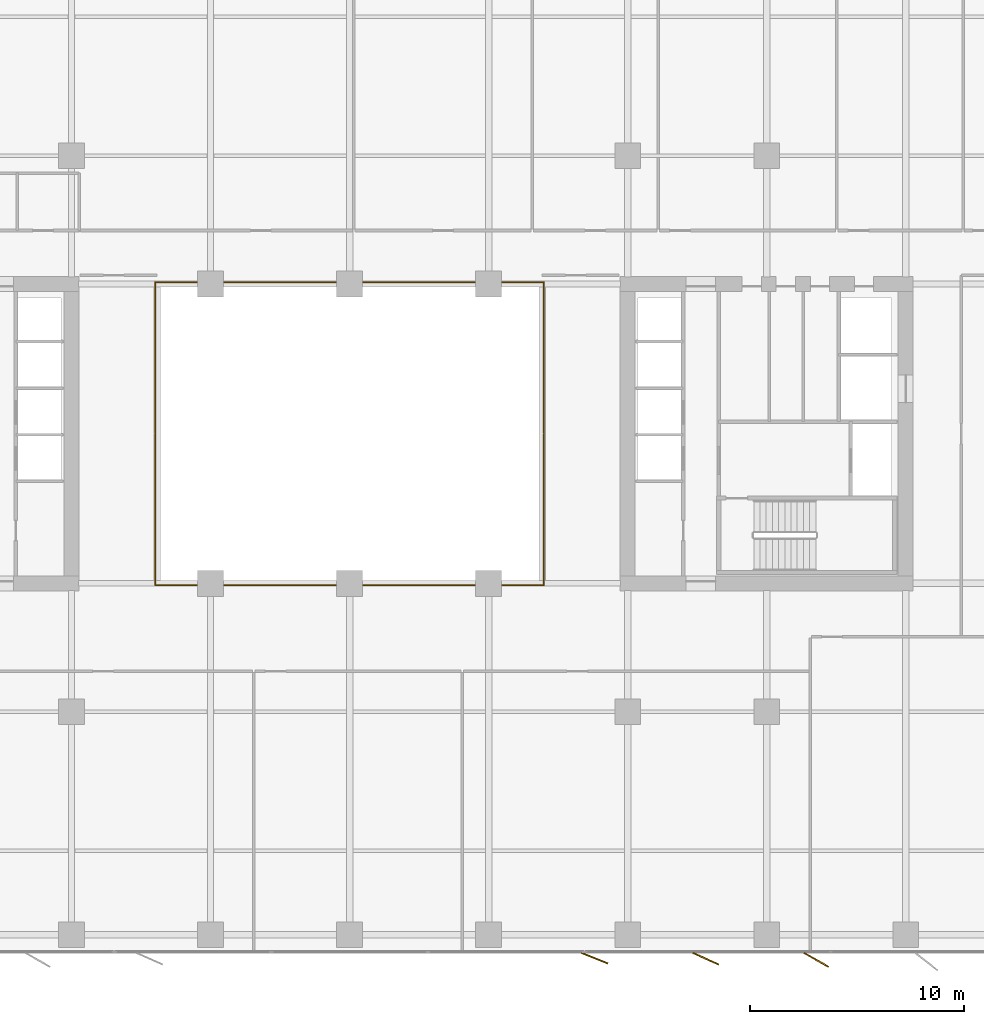
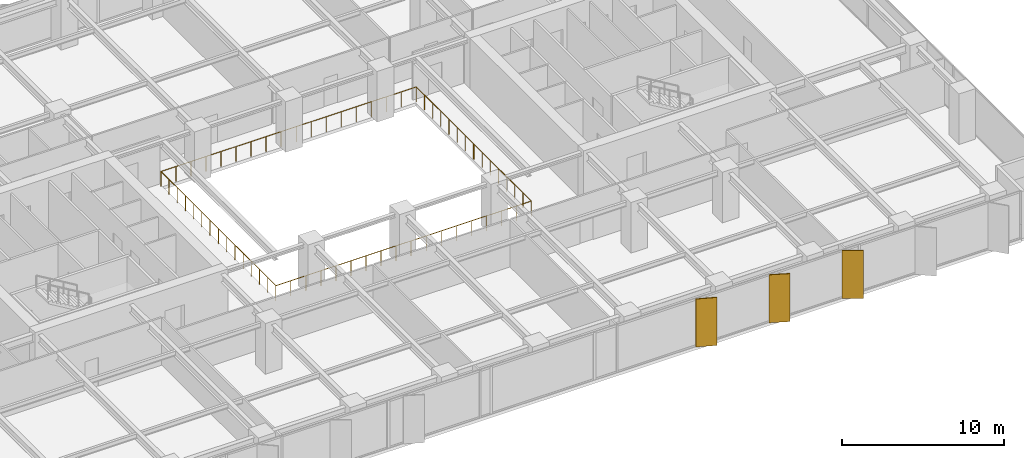
# One storey, part 18 of 20: 3 shading devices, 2 railings.
"""IFC4 building model written with IfcOpenShell, lengths in metres."""

import ifcopenshell
import ifcopenshell.guid

model = None  # the IFC model being written
_history = None  # IfcOwnerHistory: only IFC2X3 demands one
_inside = {}  # id of a spatial element -> (the spatial element, [elements in it])
_under = {}  # id of a project, library or spatial element -> (it, [spatial elements below it])
_declared = {}  # id of a project -> (the project, [libraries it declares])
_typed = {}  # id of a type object -> (the type object, [elements of that type])
_made_of = {}  # id of a material, layer set ... -> (it, [elements and type objects made of it])


def new_model(schema):
    """Start an empty IFC model of exactly this schema.

    Asked for "IFC4X3", IfcOpenShell would pick the latest addendum, in which some entities
    have other attributes; the version numbers below select the first issue.
    IFC2X3 requires an IfcOwnerHistory on every rooted entity: one is made here for all.
    """
    global model, _history
    if schema == "IFC4X3":
        model = ifcopenshell.file(schema_version=(4, 3, 0, 0))
    else:
        model = ifcopenshell.file(schema=schema)
    _inside.clear()
    _under.clear()
    _declared.clear()
    _typed.clear()
    _made_of.clear()
    _history = None
    if model.schema == "IFC2X3":
        org = make("IfcOrganization", Name="unknown")
        user = make(
            "IfcPersonAndOrganization",
            ThePerson=make("IfcPerson", FamilyName="unknown"),
            TheOrganization=org,
        )
        app = make(
            "IfcApplication",
            ApplicationDeveloper=org,
            Version="unknown",
            ApplicationFullName="unknown",
            ApplicationIdentifier="unknown",
        )
        _history = make(
            "IfcOwnerHistory",
            OwningUser=user,
            OwningApplication=app,
            ChangeAction="ADDED",
            CreationDate=0,
        )
    return model


def make(cls, **values):
    """One entity of the class cls with the attributes given. An attribute that is None is left unset."""
    return model.create_entity(
        cls, **{name: value for name, value in values.items() if value is not None}
    )


def rooted(cls, **values):
    """An entity with a GlobalId (a new one), such as an element, a storey or a relation."""
    return make(cls, GlobalId=ifcopenshell.guid.new(), OwnerHistory=_history, **values)


def si_unit(unit_type, name, prefix=None):
    """IfcSIUnit, for example si_unit("LENGTHUNIT", "METRE", prefix="MILLI")."""
    return make("IfcSIUnit", UnitType=unit_type, Prefix=prefix, Name=name)


def assignment(units):
    """IfcUnitAssignment: the units of a project."""
    return None if units is None else make("IfcUnitAssignment", Units=units)


def point(xyz):
    """IfcCartesianPoint."""
    return None if xyz is None else make("IfcCartesianPoint", Coordinates=xyz)


def direction(xyz):
    """IfcDirection."""
    return None if xyz is None else make("IfcDirection", DirectionRatios=xyz)


def frame(location, z_axis=None, x_axis=None):
    """IfcAxis2Placement3D, a coordinate frame: its origin and axes. An axis left out is left unset."""
    return make(
        "IfcAxis2Placement3D",
        Location=point(location),
        Axis=direction(z_axis),
        RefDirection=direction(x_axis),
    )


def frame_2d(location, x_axis=None):
    """IfcAxis2Placement2D, a coordinate frame in the plane: its origin and x axis."""
    return make(
        "IfcAxis2Placement2D", Location=point(location), RefDirection=direction(x_axis)
    )


def origin():
    """The frame at (0, 0, 0) with its axes left unset."""
    return frame((0.0, 0.0, 0.0))


def origin_2d():
    """The frame at (0, 0) in the plane with its x axis left unset."""
    return frame_2d((0.0, 0.0))


def place(relative_to, where):
    """IfcLocalPlacement: puts the frame where relative to a parent placement (None: the world)."""
    return make(
        "IfcLocalPlacement", PlacementRelTo=relative_to, RelativePlacement=where
    )


def context(
    kind, dimensions, precision=None, world=None, true_north=None, identifier=None
):
    """IfcGeometricRepresentationContext, for example the 3D "Model" context."""
    return make(
        "IfcGeometricRepresentationContext",
        ContextIdentifier=identifier,
        ContextType=kind,
        CoordinateSpaceDimension=dimensions,
        Precision=precision,
        WorldCoordinateSystem=world,
        TrueNorth=true_north,
    )


def subcontext(parent, identifier, kind, view, scale=None):
    """IfcGeometricRepresentationSubContext, for example "Body" below "Model"."""
    return make(
        "IfcGeometricRepresentationSubContext",
        ContextIdentifier=identifier,
        ContextType=kind,
        ParentContext=parent,
        TargetScale=scale,
        TargetView=view,
    )


def project(units=None, contexts=None):
    """IfcProject with its units and contexts."""
    return rooted(
        "IfcProject",
        Name="project",
        RepresentationContexts=contexts,
        UnitsInContext=assignment(units),
    )


def spatial(cls, under=None, at=None, **own):
    """A site, building, storey or space (cls), placed at a placement, below another one or the project."""
    s = rooted(cls, ObjectPlacement=at, **own)
    if under is not None:
        _under.setdefault(under.id(), (under, []))[1].append(s)
    return s


def profile(cls, at=None, kind="AREA", **sizes):
    """A parametric profile (cls). Its sizes go by their IFC names, for example OverallWidth=200.0."""
    return make(cls, ProfileType=kind, Position=at, **sizes)


def rectangle(**sizes):
    """IfcRectangleProfileDef."""
    return profile("IfcRectangleProfileDef", **sizes)


def circle(**sizes):
    """IfcCircleProfileDef."""
    return profile("IfcCircleProfileDef", **sizes)


def extrude(swept, where, along, depth):
    """IfcExtrudedAreaSolid: the profile swept, set in the frame where, extruded along a direction by depth."""
    return make(
        "IfcExtrudedAreaSolid",
        SweptArea=swept,
        Position=where,
        ExtrudedDirection=direction(along),
        Depth=depth,
    )


def shape(context_of_items, identifier, shape_type, items):
    """IfcShapeRepresentation: the items that make up one representation, for example the "Body"."""
    return make(
        "IfcShapeRepresentation",
        ContextOfItems=context_of_items,
        RepresentationIdentifier=identifier,
        RepresentationType=shape_type,
        Items=items,
    )


def material(Name=None, Category=None):
    """IfcMaterial."""
    return make("IfcMaterial", Name=Name, Category=Category)


def layer(
    of_material, thickness, ventilated=None, Name=None, Category=None, Priority=None
):
    """IfcMaterialLayer: one layer of a wall or slab, of a material (None: an air gap)."""
    return make(
        "IfcMaterialLayer",
        Material=of_material,
        LayerThickness=thickness,
        IsVentilated=ventilated,
        Name=Name,
        Category=Category,
        Priority=Priority,
    )


def layer_set(layers, Name=None):
    """IfcMaterialLayerSet."""
    return make("IfcMaterialLayerSet", MaterialLayers=layers, LayerSetName=Name)


def made_of(thing, what):
    """Note that an element or type object is made of a material, layer set ...; save() writes the relation."""
    if what is not None:
        _made_of.setdefault(what.id(), (what, []))[1].append(thing)
    return thing


def type_object(cls, material=None, **own):
    """A type object (cls), such as IfcWallType, which elements share."""
    return made_of(rooted(cls, **own), material)


def element(
    cls,
    number,
    at=None,
    inside=None,
    cuts=None,
    type_object=None,
    material=None,
    context=None,
    identifier="Body",
    shape_type=None,
    held_by="IfcProductDefinitionShape",
    body=None,
    shapes=None,
    **own,
):
    """One element of the class cls, such as IfcWall. Its Tag is "e" and its number.

    at: its placement. inside: the storey or other place that contains it. cuts: it is an
    opening in that element (IfcRelVoidsElement). A single representation is given by context,
    identifier, shape_type and body (its items); several are given by shapes. held_by: the class
    of the entity that holds the representations. save() writes the other relations.
    """
    e = rooted(cls, Tag="e%d" % number, ObjectPlacement=at, **own)
    if body is not None:
        shapes = [shape(context, identifier, shape_type, body)]
    if shapes is not None:
        e.Representation = make(held_by, Representations=shapes)
    if inside is not None:
        _inside.setdefault(inside.id(), (inside, []))[1].append(e)
    if cuts is not None:
        rooted(
            "IfcRelVoidsElement", RelatingBuildingElement=cuts, RelatedOpeningElement=e
        )
    if type_object is not None:
        _typed.setdefault(type_object.id(), (type_object, []))[1].append(e)
    return made_of(e, material)


def aggregate(whole, parts):
    """IfcRelAggregates: a whole, such as a stair, and the parts it consists of."""
    return rooted("IfcRelAggregates", RelatingObject=whole, RelatedObjects=parts)


def save(model, path):
    """Write the relations noted so far, then the file.

    IfcRelAggregates (storeys below a building ...), IfcRelContainedInSpatialStructure (elements
    in a storey), IfcRelDefinesByType, IfcRelAssociatesMaterial and IfcRelDeclares: one each for
    every whole, place, type object, material and project.
    """
    for whole, parts in _under.values():
        aggregate(whole, parts)
    for where, things in _inside.values():
        rooted(
            "IfcRelContainedInSpatialStructure",
            RelatedElements=things,
            RelatingStructure=where,
        )
    for kind, things in _typed.values():
        rooted("IfcRelDefinesByType", RelatedObjects=things, RelatingType=kind)
    for what, things in _made_of.values():
        rooted("IfcRelAssociatesMaterial", RelatedObjects=things, RelatingMaterial=what)
    for by, libraries in _declared.values():
        rooted("IfcRelDeclares", RelatingContext=by, RelatedDefinitions=libraries)
    model.write(path)


model = new_model("IFC4")

# Units and contexts
model_context = context("Model", 3, precision=1e-05, world=origin(), true_north=direction((0.0, 1.0)))
body_context = subcontext(model_context, "Body", "Model", "MODEL_VIEW")
ifc_project = project(units=[si_unit("LENGTHUNIT", "METRE"), si_unit("AREAUNIT", "SQUARE_METRE"), si_unit("VOLUMEUNIT", "CUBIC_METRE"), si_unit("PLANEANGLEUNIT", "RADIAN"), si_unit("MASSUNIT", "GRAM", prefix="KILO")], contexts=[model_context])

# Site, building, storey
site_placement = place(None, origin())
site = spatial("IfcSite", under=ifc_project, at=site_placement, CompositionType="ELEMENT")
building_placement = place(site_placement, origin())
building = spatial("IfcBuilding", under=site, at=building_placement, Name="Putna Gate Headquarters", CompositionType="ELEMENT")
storey_placement = place(building_placement, frame((0.0, 0.0, 108.800048828125)))
storey = spatial("IfcBuildingStorey", under=building, at=storey_placement, Name="L26", CompositionType="ELEMENT", Elevation=108.800048828125)

# Railings
ifc_material_1 = material(Name="Anodised bronze and laminated glass atrium balustrade", Category="glass")
railing_type = type_object("IfcRailingType", Name="RAIL-ATRIUM-GUARD-1150", PredefinedType="GUARDRAIL", material=ifc_material_1)
railing_1_placement = place(storey_placement, frame((29.919921875, 25.969970703125, 0.0)))
element("IfcRailing", 1, at=railing_1_placement, inside=storey, type_object=railing_type, Name="L26 Central Atrium Glazed Balustrade South", PredefinedType="GUARDRAIL", context=body_context, shape_type="SweptSolid", body=[
    extrude(circle(Radius=0.02392578125, at=origin_2d()), frame((0.0, 0.0, 1.1259765625), z_axis=(0.0, -1.0, 0.0), x_axis=(1.0, 0.0, 0.0)), (0.0, 0.0, 1.0), 7.050048828125),
    extrude(circle(Radius=0.02392578125, at=origin_2d()), frame((0.0, -7.050048828125, 1.1259765625), z_axis=(1.0, 0.0, 0.0), x_axis=(0.0, 1.0, 0.0)), (0.0, 0.0, 1.0), 18.16015625),
    extrude(circle(Radius=0.02392578125, at=origin_2d()), frame((18.16015625, -7.050048828125, 1.1259765625), z_axis=(0.0, 1.0, 0.0), x_axis=(-1.0, 0.0, 0.0)), (0.0, 0.0, 1.0), 7.050048828125),
    extrude(circle(Radius=0.02099609375, at=origin_2d()), origin(), (0.0, 0.0, 1.0), 1.101806640625),
    extrude(circle(Radius=0.02099609375, at=origin_2d()), frame((0.0, -1.007080078125, 0.0)), (0.0, 0.0, 1.0), 1.101806640625),
    extrude(circle(Radius=0.02099609375, at=origin_2d()), frame((0.0, -2.014404296875, 0.0)), (0.0, 0.0, 1.0), 1.101806640625),
    extrude(circle(Radius=0.02099609375, at=origin_2d()), frame((0.0, -3.021484375, 0.0)), (0.0, 0.0, 1.0), 1.101806640625),
    extrude(circle(Radius=0.02099609375, at=origin_2d()), frame((0.0, -4.028564453125, 0.0)), (0.0, 0.0, 1.0), 1.101806640625),
    extrude(circle(Radius=0.02099609375, at=origin_2d()), frame((0.0, -5.03564453125, 0.0)), (0.0, 0.0, 1.0), 1.101806640625),
    extrude(circle(Radius=0.02099609375, at=origin_2d()), frame((0.0, -6.04296875, 0.0)), (0.0, 0.0, 1.0), 1.101806640625),
    extrude(circle(Radius=0.02099609375, at=origin_2d()), frame((0.0, -7.050048828125, 0.0)), (0.0, 0.0, 1.0), 1.101806640625),
    extrude(circle(Radius=0.02099609375, at=origin_2d()), frame((1.068359375, -7.050048828125, 0.0)), (0.0, 0.0, 1.0), 1.101806640625),
    extrude(circle(Radius=0.02099609375, at=origin_2d()), frame((2.136474609375, -7.050048828125, 0.0)), (0.0, 0.0, 1.0), 1.101806640625),
    extrude(circle(Radius=0.02099609375, at=origin_2d()), frame((3.204833984375, -7.050048828125, 0.0)), (0.0, 0.0, 1.0), 1.101806640625),
    extrude(circle(Radius=0.02099609375, at=origin_2d()), frame((4.27294921875, -7.050048828125, 0.0)), (0.0, 0.0, 1.0), 1.101806640625),
    extrude(circle(Radius=0.02099609375, at=origin_2d()), frame((5.34130859375, -7.050048828125, 0.0)), (0.0, 0.0, 1.0), 1.101806640625),
    extrude(circle(Radius=0.02099609375, at=origin_2d()), frame((6.409423828125, -7.050048828125, 0.0)), (0.0, 0.0, 1.0), 1.101806640625),
    extrude(circle(Radius=0.02099609375, at=origin_2d()), frame((7.477783203125, -7.050048828125, 0.0)), (0.0, 0.0, 1.0), 1.101806640625),
    extrude(circle(Radius=0.02099609375, at=origin_2d()), frame((8.5458984375, -7.050048828125, 0.0)), (0.0, 0.0, 1.0), 1.101806640625),
    extrude(circle(Radius=0.02099609375, at=origin_2d()), frame((9.6142578125, -7.050048828125, 0.0)), (0.0, 0.0, 1.0), 1.101806640625),
    extrude(circle(Radius=0.02099609375, at=origin_2d()), frame((10.682373046875, -7.050048828125, 0.0)), (0.0, 0.0, 1.0), 1.101806640625),
    extrude(circle(Radius=0.02099609375, at=origin_2d()), frame((11.750732421875, -7.050048828125, 0.0)), (0.0, 0.0, 1.0), 1.101806640625),
    extrude(circle(Radius=0.02099609375, at=origin_2d()), frame((12.81884765625, -7.050048828125, 0.0)), (0.0, 0.0, 1.0), 1.101806640625),
    extrude(circle(Radius=0.02099609375, at=origin_2d()), frame((13.88720703125, -7.050048828125, 0.0)), (0.0, 0.0, 1.0), 1.101806640625),
    extrude(circle(Radius=0.02099609375, at=origin_2d()), frame((14.955322265625, -7.050048828125, 0.0)), (0.0, 0.0, 1.0), 1.101806640625),
    extrude(circle(Radius=0.02099609375, at=origin_2d()), frame((16.023681640625, -7.050048828125, 0.0)), (0.0, 0.0, 1.0), 1.101806640625),
    extrude(circle(Radius=0.02099609375, at=origin_2d()), frame((17.091796875, -7.050048828125, 0.0)), (0.0, 0.0, 1.0), 1.101806640625),
    extrude(circle(Radius=0.02099609375, at=origin_2d()), frame((18.16015625, -7.050048828125, 0.0)), (0.0, 0.0, 1.0), 1.101806640625),
    extrude(circle(Radius=0.02099609375, at=origin_2d()), frame((18.16015625, -6.04296875, 0.0)), (0.0, 0.0, 1.0), 1.101806640625),
    extrude(circle(Radius=0.02099609375, at=origin_2d()), frame((18.16015625, -5.03564453125, 0.0)), (0.0, 0.0, 1.0), 1.101806640625),
    extrude(circle(Radius=0.02099609375, at=origin_2d()), frame((18.16015625, -4.028564453125, 0.0)), (0.0, 0.0, 1.0), 1.101806640625),
    extrude(circle(Radius=0.02099609375, at=origin_2d()), frame((18.16015625, -3.021484375, 0.0)), (0.0, 0.0, 1.0), 1.101806640625),
    extrude(circle(Radius=0.02099609375, at=origin_2d()), frame((18.16015625, -2.014404296875, 0.0)), (0.0, 0.0, 1.0), 1.101806640625),
    extrude(circle(Radius=0.02099609375, at=origin_2d()), frame((18.16015625, -1.007080078125, 0.0)), (0.0, 0.0, 1.0), 1.101806640625),
    extrude(circle(Radius=0.02099609375, at=origin_2d()), frame((18.16015625, 0.0, 0.0)), (0.0, 0.0, 1.0), 1.101806640625),
])
railing_2_placement = place(storey_placement, frame((48.080078125, 26.030029296875, 0.0)))
element("IfcRailing", 2, at=railing_2_placement, inside=storey, type_object=railing_type, Name="L26 Central Atrium Glazed Balustrade North", PredefinedType="GUARDRAIL", context=body_context, shape_type="SweptSolid", body=[
    extrude(circle(Radius=0.02392578125, at=origin_2d()), frame((0.0, 0.0, 1.1259765625), z_axis=(0.0, 1.0, 0.0), x_axis=(-1.0, 0.0, 0.0)), (0.0, 0.0, 1.0), 7.050048828125),
    extrude(circle(Radius=0.02392578125, at=origin_2d()), frame((0.0, 7.050048828125, 1.1259765625), z_axis=(-1.0, 0.0, 0.0), x_axis=(0.0, -1.0, 0.0)), (0.0, 0.0, 1.0), 18.16015625),
    extrude(circle(Radius=0.02392578125, at=origin_2d()), frame((-18.16015625, 7.050048828125, 1.1259765625), z_axis=(0.0, -1.0, 0.0), x_axis=(1.0, 0.0, 0.0)), (0.0, 0.0, 1.0), 7.050048828125),
    extrude(circle(Radius=0.02099609375, at=origin_2d()), origin(), (0.0, 0.0, 1.0), 1.101806640625),
    extrude(circle(Radius=0.02099609375, at=origin_2d()), frame((0.0, 1.007080078125, 0.0)), (0.0, 0.0, 1.0), 1.101806640625),
    extrude(circle(Radius=0.02099609375, at=origin_2d()), frame((0.0, 2.014404296875, 0.0)), (0.0, 0.0, 1.0), 1.101806640625),
    extrude(circle(Radius=0.02099609375, at=origin_2d()), frame((0.0, 3.021484375, 0.0)), (0.0, 0.0, 1.0), 1.101806640625),
    extrude(circle(Radius=0.02099609375, at=origin_2d()), frame((0.0, 4.028564453125, 0.0)), (0.0, 0.0, 1.0), 1.101806640625),
    extrude(circle(Radius=0.02099609375, at=origin_2d()), frame((0.0, 5.03564453125, 0.0)), (0.0, 0.0, 1.0), 1.101806640625),
    extrude(circle(Radius=0.02099609375, at=origin_2d()), frame((0.0, 6.04296875, 0.0)), (0.0, 0.0, 1.0), 1.101806640625),
    extrude(circle(Radius=0.02099609375, at=origin_2d()), frame((0.0, 7.050048828125, 0.0)), (0.0, 0.0, 1.0), 1.101806640625),
    extrude(circle(Radius=0.02099609375, at=origin_2d()), frame((-1.068359375, 7.050048828125, 0.0)), (0.0, 0.0, 1.0), 1.101806640625),
    extrude(circle(Radius=0.02099609375, at=origin_2d()), frame((-2.136474609375, 7.050048828125, 0.0)), (0.0, 0.0, 1.0), 1.101806640625),
    extrude(circle(Radius=0.02099609375, at=origin_2d()), frame((-3.204833984375, 7.050048828125, 0.0)), (0.0, 0.0, 1.0), 1.101806640625),
    extrude(circle(Radius=0.02099609375, at=origin_2d()), frame((-4.27294921875, 7.050048828125, 0.0)), (0.0, 0.0, 1.0), 1.101806640625),
    extrude(circle(Radius=0.02099609375, at=origin_2d()), frame((-5.34130859375, 7.050048828125, 0.0)), (0.0, 0.0, 1.0), 1.101806640625),
    extrude(circle(Radius=0.02099609375, at=origin_2d()), frame((-6.409423828125, 7.050048828125, 0.0)), (0.0, 0.0, 1.0), 1.101806640625),
    extrude(circle(Radius=0.02099609375, at=origin_2d()), frame((-7.477783203125, 7.050048828125, 0.0)), (0.0, 0.0, 1.0), 1.101806640625),
    extrude(circle(Radius=0.02099609375, at=origin_2d()), frame((-8.5458984375, 7.050048828125, 0.0)), (0.0, 0.0, 1.0), 1.101806640625),
    extrude(circle(Radius=0.02099609375, at=origin_2d()), frame((-9.6142578125, 7.050048828125, 0.0)), (0.0, 0.0, 1.0), 1.101806640625),
    extrude(circle(Radius=0.02099609375, at=origin_2d()), frame((-10.682373046875, 7.050048828125, 0.0)), (0.0, 0.0, 1.0), 1.101806640625),
    extrude(circle(Radius=0.02099609375, at=origin_2d()), frame((-11.750732421875, 7.050048828125, 0.0)), (0.0, 0.0, 1.0), 1.101806640625),
    extrude(circle(Radius=0.02099609375, at=origin_2d()), frame((-12.81884765625, 7.050048828125, 0.0)), (0.0, 0.0, 1.0), 1.101806640625),
    extrude(circle(Radius=0.02099609375, at=origin_2d()), frame((-13.88720703125, 7.050048828125, 0.0)), (0.0, 0.0, 1.0), 1.101806640625),
    extrude(circle(Radius=0.02099609375, at=origin_2d()), frame((-14.955322265625, 7.050048828125, 0.0)), (0.0, 0.0, 1.0), 1.101806640625),
    extrude(circle(Radius=0.02099609375, at=origin_2d()), frame((-16.023681640625, 7.050048828125, 0.0)), (0.0, 0.0, 1.0), 1.101806640625),
    extrude(circle(Radius=0.02099609375, at=origin_2d()), frame((-17.091796875, 7.050048828125, 0.0)), (0.0, 0.0, 1.0), 1.101806640625),
    extrude(circle(Radius=0.02099609375, at=origin_2d()), frame((-18.16015625, 7.050048828125, 0.0)), (0.0, 0.0, 1.0), 1.101806640625),
    extrude(circle(Radius=0.02099609375, at=origin_2d()), frame((-18.16015625, 6.04296875, 0.0)), (0.0, 0.0, 1.0), 1.101806640625),
    extrude(circle(Radius=0.02099609375, at=origin_2d()), frame((-18.16015625, 5.03564453125, 0.0)), (0.0, 0.0, 1.0), 1.101806640625),
    extrude(circle(Radius=0.02099609375, at=origin_2d()), frame((-18.16015625, 4.028564453125, 0.0)), (0.0, 0.0, 1.0), 1.101806640625),
    extrude(circle(Radius=0.02099609375, at=origin_2d()), frame((-18.16015625, 3.021484375, 0.0)), (0.0, 0.0, 1.0), 1.101806640625),
    extrude(circle(Radius=0.02099609375, at=origin_2d()), frame((-18.16015625, 2.014404296875, 0.0)), (0.0, 0.0, 1.0), 1.101806640625),
    extrude(circle(Radius=0.02099609375, at=origin_2d()), frame((-18.16015625, 1.007080078125, 0.0)), (0.0, 0.0, 1.0), 1.101806640625),
    extrude(circle(Radius=0.02099609375, at=origin_2d()), frame((-18.16015625, 0.0, 0.0)), (0.0, 0.0, 1.0), 1.101806640625),
])

# Shading devices
ifc_material_2 = material(Name="Anodised architectural bronze aluminium fin", Category="aluminium")
ifc_layer = layer(ifc_material_2, 0.06494140625)
ifc_layer_set = layer_set([ifc_layer], Name="Anodised architectural bronze aluminium fin")
shading_device_type = type_object("IfcShadingDeviceType", Name="SHADE-BRONZE-FIN-1320", PredefinedType="USERDEFINED", material=ifc_layer_set)
for number, where, z_axis, x_axis, name in (
    (3, (50.4619140625, 1.477783203125, -0.02001953125), (0.0, 0.0, 1.0), (0.927183854567, -0.374606593416, 0.0), "L26 Bronze Vertical Shading Fin S8"),
    (4, (55.653076171875, 1.456787109375, -0.02001953125), (0.0, 0.0, 1.0), (0.913687379856, -0.40641773078, 0.0), "L26 Bronze Vertical Shading Fin S9"),
    (5, (60.82373046875, 1.398681640625, -0.02001953125), (0.0, 0.0, 1.0), (0.869322458298, -0.494245347472, 0.0), "L26 Bronze Vertical Shading Fin S10"),
):
    element("IfcShadingDevice", number, at=place(storey_placement, frame(where, z_axis=z_axis, x_axis=x_axis)), inside=storey, type_object=shading_device_type, Name=name, ObjectType="FIN", PredefinedType="USERDEFINED", context=body_context, shape_type="SweptSolid", body=[
        extrude(rectangle(XDim=1.320068359375, YDim=0.06494140625, at=origin_2d()), origin(), (0.0, 0.0, 1.0), 3.60498046875),
    ])

save(model, "model.ifc")
